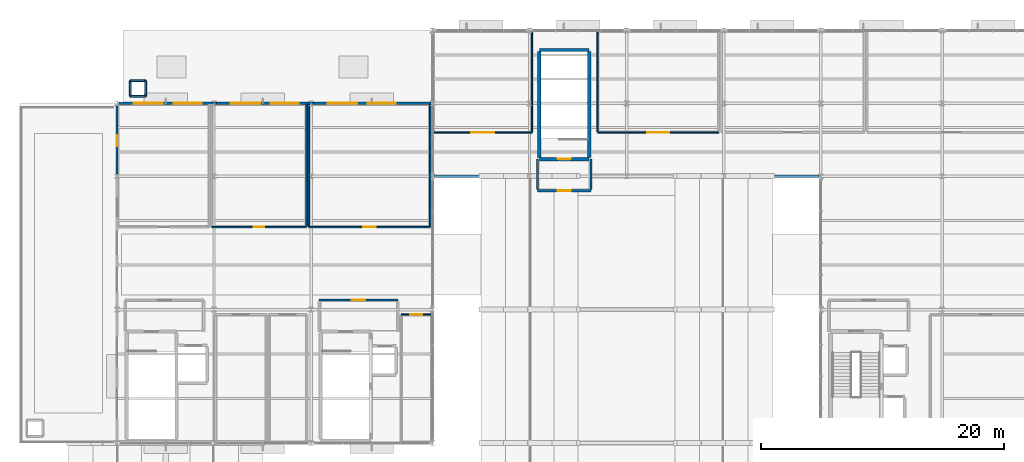
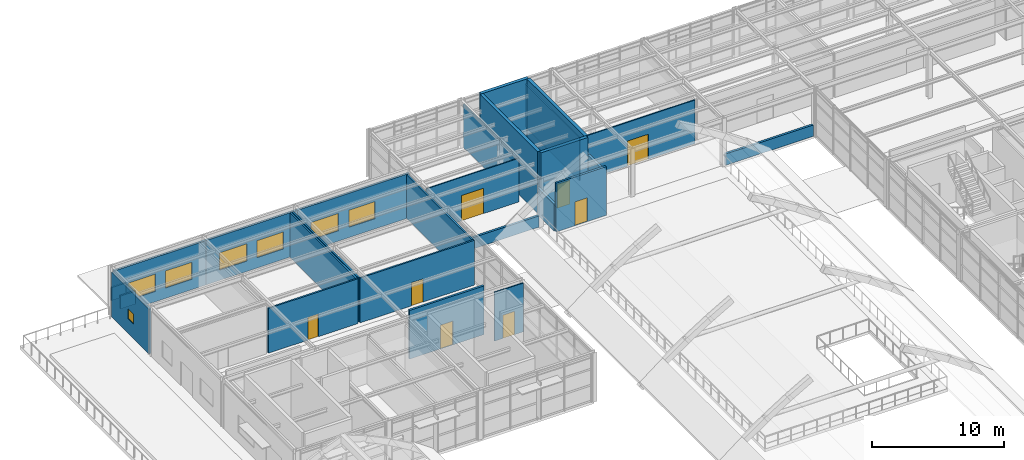
# One storey, part 64 of 82: 28 walls, 8 doors, 7 windows, 15 openings.
"""IFC4 building model written with IfcOpenShell, lengths in metres."""

from ifc_helpers import new_model, si_unit, direction, frame, frame_2d, origin, place, context, subcontext, project, spatial, rectangle, extrude, material, layer, layer_set, type_object, element, fill, save


model = new_model("IFC4")

# Units and contexts
model_context = context("Model", 3, precision=1e-05, world=origin(), true_north=direction((0.0, 1.0)))
body_context = subcontext(model_context, "Body", "Model", "MODEL_VIEW")
ifc_project = project(units=[si_unit("LENGTHUNIT", "METRE"), si_unit("AREAUNIT", "SQUARE_METRE"), si_unit("VOLUMEUNIT", "CUBIC_METRE"), si_unit("PLANEANGLEUNIT", "RADIAN"), si_unit("MASSUNIT", "GRAM", prefix="KILO")], contexts=[model_context])

# Site, building, storey
site_placement = place(None, origin())
site = spatial("IfcSite", under=ifc_project, at=site_placement, CompositionType="ELEMENT")
building_placement = place(site_placement, origin())
building = spatial("IfcBuilding", under=site, at=building_placement, Name="Sitalva Quay Ferry Terminal", CompositionType="ELEMENT")
storey_placement = place(building_placement, frame((0.0, 0.0, 5.39990234375)))
storey = spatial("IfcBuildingStorey", under=building, at=storey_placement, Name="L02", CompositionType="ELEMENT", Elevation=5.39990234375)

# Wall, opening, door
ifc_material_1 = material(Name="Concrete C40/50", Category="concrete")
ifc_layer_1 = layer(ifc_material_1, 0.280029296875)
ifc_layer_set_1 = layer_set([ifc_layer_1], Name="Concrete C40/50")
wall_type_1 = type_object("IfcWallType", Name="Wall_CoreShear_280", PredefinedType="SHEAR", material=ifc_layer_set_1)
wall_1_placement = place(storey_placement, frame((50.800048828125, 101.39990234375, 0.0), z_axis=(0.0, 0.0, 1.0), x_axis=(1.0, 0.0, 0.0)))
wall_1 = element("IfcWall", 1, at=wall_1_placement, inside=storey, type_object=wall_type_1, Name="Core C7 L02 south shear wall", PredefinedType="SHEAR", context=body_context, shape_type="SweptSolid", body=[
    extrude(rectangle(XDim=4.099853515625, YDim=0.280029296875, at=frame_2d((2.0498046875, 0.0))), origin(), (0.0, 0.0, 1.0), 5.7001953125),
])
opening_1_placement = place(wall_1_placement, frame((1.5, 0.0, 0.0)))
opening_1 = element("IfcOpeningElement", 2, at=opening_1_placement, cuts=wall_1, Name="Opening D-L02-027", PredefinedType="OPENING", context=body_context, shape_type="SweptSolid", body=[
    extrude(rectangle(XDim=1.10009765625, YDim=2.199951171875, at=frame_2d((0.550048828125, 1.10009765625))), frame((0.0, 0.14990234375, 0.0), z_axis=(0.0, -1.0, 0.0), x_axis=(1.0, 0.0, 0.0)), (0.0, 0.0, 1.0), 0.300048828125),
])
ifc_material_2 = material(Name="Galvanised Steel Fire Door", Category="steel")
door_type_1 = type_object("IfcDoorType", Name="Door_CoreExit_1100x2200", OperationType="SINGLE_SWING_LEFT", PredefinedType="DOOR", material=ifc_material_2)
door_1_placement = place(opening_1_placement, origin())
door_1 = element("IfcDoor", 3, at=door_1_placement, inside=storey, type_object=door_type_1, Name="DOOR-D-L02-027 Protected stair ST-07 door D-L02-027", OperationType="SINGLE_SWING_LEFT", OverallHeight=2.199951171875, OverallWidth=1.10009765625, PredefinedType="DOOR", context=body_context, shape_type="SweptSolid", body=[
    extrude(rectangle(XDim=1.10009765625, YDim=2.199951171875, at=frame_2d((0.550048828125, 1.10009765625))), frame((0.0, 0.02490234375, 0.0), z_axis=(0.0, -1.0, 0.0), x_axis=(1.0, 0.0, 0.0)), (0.0, 0.0, 1.0), 0.050048828125),
])
fill(opening_1, door_1)

# Walls
wall_2_placement = place(storey_placement, frame((50.800048828125, 110.39990234375, 0.0), z_axis=(0.0, 0.0, 1.0), x_axis=(1.0, 0.0, 0.0)))
element("IfcWall", 4, at=wall_2_placement, inside=storey, type_object=wall_type_1, Name="Core C7 L02 north shear wall", PredefinedType="SHEAR", context=body_context, shape_type="SweptSolid", body=[
    extrude(rectangle(XDim=4.099853515625, YDim=0.280029296875, at=frame_2d((2.0498046875, 0.0))), origin(), (0.0, 0.0, 1.0), 5.7001953125),
])
for number, where, z_axis, x_axis, name in (
    (5, (50.800048828125, 101.5400390625, 0.0), (0.0, 0.0, 1.0), (0.0, 1.0, 0.0), "Core C7 L02 west shear wall"),
    (6, (54.89990234375, 101.5400390625, 0.0), (0.0, 0.0, 1.0), (0.0, 1.0, 0.0), "Core C7 L02 east shear wall"),
):
    element("IfcWall", number, at=place(storey_placement, frame(where, z_axis=z_axis, x_axis=x_axis)), inside=storey, type_object=wall_type_1, Name=name, PredefinedType="SHEAR", context=body_context, shape_type="SweptSolid", body=[
        extrude(rectangle(XDim=8.719970703125, YDim=0.280029296875, at=frame_2d((4.35986328125, 0.0))), origin(), (0.0, 0.0, 1.0), 5.7001953125),
    ])

# Wall, opening, window
ifc_material_3 = material(Name="Architectural Concrete C40/50", Category="concrete")
ifc_layer_2 = layer(ifc_material_3, 0.18994140625)
ifc_layer_set_2 = layer_set([ifc_layer_2], Name="Architectural Concrete C40/50")
wall_type_2 = type_object("IfcWallType", Name="Wall_ExtSpandrel_190", PredefinedType="SOLIDWALL", material=ifc_layer_set_2)
wall_3_placement = place(storey_placement, frame((16.0, 100.1630859375, 0.0), z_axis=(0.0, 0.0, 1.0), x_axis=(0.0, 1.0, 0.0)))
wall_3 = element("IfcWall", 7, at=wall_3_placement, inside=storey, type_object=wall_type_2, Name="L02 west wing terrace facade EW-L02-162", PredefinedType="SOLIDWALL", context=body_context, shape_type="SweptSolid", body=[
    extrude(rectangle(XDim=5.673828125, YDim=0.18994140625, at=frame_2d((2.8369140625, 0.0))), origin(), (0.0, 0.0, 1.0), 4.14111328125),
])
opening_2_placement = place(wall_3_placement, frame((2.31689453125, 0.0, 1.35009765625)))
opening_2 = element("IfcOpeningElement", 8, at=opening_2_placement, cuts=wall_3, Name="Opening WN-L02-037", PredefinedType="OPENING", context=body_context, shape_type="SweptSolid", body=[
    extrude(rectangle(XDim=0.89990234375, YDim=0.89990234375, at=frame_2d((0.449951171875, 0.449951171875))), frame((0.0, 0.10498046875, 0.0), z_axis=(0.0, -1.0, 0.0), x_axis=(1.0, 0.0, 0.0)), (0.0, 0.0, 1.0), 0.2099609375),
])
ifc_material_4 = material(Name="Frosted Double Glazing", Category="glass")
window_type_1 = type_object("IfcWindowType", Name="Win_Toilet_900x900", PartitioningType="SINGLE_PANEL", PredefinedType="WINDOW", material=ifc_material_4)
window_1_placement = place(opening_2_placement, origin())
window_1 = element("IfcWindow", 9, at=window_1_placement, inside=storey, type_object=window_type_1, Name="L02 west WC frosted window WN-L02-037", OverallHeight=0.89990234375, OverallWidth=0.89990234375, PartitioningType="SINGLE_PANEL", PredefinedType="WINDOW", context=body_context, shape_type="SweptSolid", body=[
    extrude(rectangle(XDim=0.89990234375, YDim=0.89990234375, at=frame_2d((0.449951171875, 0.449951171875))), frame((0.0, 0.030029296875, 0.0), z_axis=(0.0, -1.0, 0.0), x_axis=(1.0, 0.0, 0.0)), (0.0, 0.0, 1.0), 0.06005859375),
])
fill(opening_2, window_1)

# Walls
for number, where, z_axis, x_axis, name in (
    (10, (42.16943359375, 100.0, 0.0), (0.0, 0.0, 1.0), (1.0, 0.0, 0.0), "L02 arrival bar south shoulder wall EW-L02-163"),
    (11, (66.16943359375, 100.0, 0.0), (0.0, 0.0, 1.0), (1.0, 0.0, 0.0), "L02 arrival bar south shoulder wall EW-L02-164"),
):
    element("IfcWall", number, at=place(storey_placement, frame(where, z_axis=z_axis, x_axis=x_axis)), inside=storey, type_object=wall_type_2, Name=name, PredefinedType="SOLIDWALL", context=body_context, shape_type="SweptSolid", body=[
        extrude(rectangle(XDim=7.6611328125, YDim=0.18994140625, at=frame_2d((3.83056640625, 0.0))), origin(), (0.0, 0.0, 1.0), 1.041259765625),
    ])

# Wall, openings, windows
wall_4_placement = place(storey_placement, frame((16.16943359375, 106.0, 0.0), z_axis=(0.0, 0.0, 1.0), x_axis=(1.0, 0.0, 0.0)))
wall_4 = element("IfcWall", 12, at=wall_4_placement, inside=storey, type_object=wall_type_2, Name="L02 north-west horizontal ribbon facade EW-L02-165", PredefinedType="SOLIDWALL", context=body_context, shape_type="SweptSolid", body=[
    extrude(rectangle(XDim=8.011962890625, YDim=0.18994140625, at=frame_2d((4.005859375, 0.0))), origin(), (0.0, 0.0, 1.0), 4.09814453125),
])
opening_3_placement = place(wall_4_placement, frame((1.21044921875, 0.0, 0.949951171875)))
opening_3 = element("IfcOpeningElement", 13, at=opening_3_placement, cuts=wall_4, Name="Opening WN-L02-038", PredefinedType="OPENING", context=body_context, shape_type="SweptSolid", body=[
    extrude(rectangle(XDim=2.39990234375, YDim=1.60009765625, at=frame_2d((1.199951171875, 0.800048828125))), frame((0.0, 0.10498046875, 0.0), z_axis=(0.0, -1.0, 0.0), x_axis=(1.0, 0.0, 0.0)), (0.0, 0.0, 1.0), 0.2099609375),
])
opening_4_placement = place(wall_4_placement, frame((4.510498046875, 0.0, 0.949951171875)))
opening_4 = element("IfcOpeningElement", 14, at=opening_4_placement, cuts=wall_4, Name="Opening WN-L02-039", PredefinedType="OPENING", context=body_context, shape_type="SweptSolid", body=[
    extrude(rectangle(XDim=2.300048828125, YDim=1.580078125, at=frame_2d((1.14990234375, 0.7900390625))), frame((0.0, 0.10498046875, 0.0), z_axis=(0.0, -1.0, 0.0), x_axis=(1.0, 0.0, 0.0)), (0.0, 0.0, 1.0), 0.2099609375),
])
ifc_material_5 = material(Name="Anodised Aluminium & Low-E Glass", Category="aluminium")
window_type_2 = type_object("IfcWindowType", Name="Win_RibbonC_2300x1580", PartitioningType="SINGLE_PANEL", PredefinedType="WINDOW", material=ifc_material_5)
window_2_placement = place(opening_4_placement, origin())
window_2 = element("IfcWindow", 15, at=window_2_placement, inside=storey, type_object=window_type_2, Name="L02 north-west ribbon window B WN-L02-039", OverallHeight=1.580078125, OverallWidth=2.300048828125, PartitioningType="SINGLE_PANEL", PredefinedType="WINDOW", context=body_context, shape_type="SweptSolid", body=[
    extrude(rectangle(XDim=2.300048828125, YDim=1.580078125, at=frame_2d((1.14990234375, 0.7900390625))), frame((0.0, 0.030029296875, 0.0), z_axis=(0.0, -1.0, 0.0), x_axis=(1.0, 0.0, 0.0)), (0.0, 0.0, 1.0), 0.06005859375),
])
fill(opening_4, window_2)
ifc_material_6 = material(Name="Anodised Aluminium & Low-E Glass", Category="aluminium")
window_type_3 = type_object("IfcWindowType", Name="Win_Ribbon_2400x1600", PartitioningType="SINGLE_PANEL", PredefinedType="WINDOW", material=ifc_material_6)
window_3_placement = place(opening_3_placement, origin())
window_3 = element("IfcWindow", 16, at=window_3_placement, inside=storey, type_object=window_type_3, Name="L02 north-west ribbon window A WN-L02-038", OverallHeight=1.60009765625, OverallWidth=2.39990234375, PartitioningType="SINGLE_PANEL", PredefinedType="WINDOW", context=body_context, shape_type="SweptSolid", body=[
    extrude(rectangle(XDim=2.39990234375, YDim=1.60009765625, at=frame_2d((1.199951171875, 0.800048828125))), frame((0.0, 0.030029296875, 0.0), z_axis=(0.0, -1.0, 0.0), x_axis=(1.0, 0.0, 0.0)), (0.0, 0.0, 1.0), 0.06005859375),
])
fill(opening_3, window_3)

wall_5_placement = place(storey_placement, frame((24.16943359375, 106.0, 0.0), z_axis=(0.0, 0.0, 1.0), x_axis=(1.0, 0.0, 0.0)))
wall_5 = element("IfcWall", 17, at=wall_5_placement, inside=storey, type_object=wall_type_2, Name="L02 north-west horizontal ribbon facade EW-L02-166", PredefinedType="SOLIDWALL", context=body_context, shape_type="SweptSolid", body=[
    extrude(rectangle(XDim=8.011962890625, YDim=0.18994140625, at=frame_2d((4.005859375, 0.0))), origin(), (0.0, 0.0, 1.0), 4.09814453125),
])
opening_5_placement = place(wall_5_placement, frame((1.21044921875, 0.0, 0.949951171875)))
opening_5 = element("IfcOpeningElement", 18, at=opening_5_placement, cuts=wall_5, Name="Opening WN-L02-040", PredefinedType="OPENING", context=body_context, shape_type="SweptSolid", body=[
    extrude(rectangle(XDim=2.39990234375, YDim=1.60009765625, at=frame_2d((1.199951171875, 0.800048828125))), frame((0.0, 0.10498046875, 0.0), z_axis=(0.0, -1.0, 0.0), x_axis=(1.0, 0.0, 0.0)), (0.0, 0.0, 1.0), 0.2099609375),
])
opening_6_placement = place(wall_5_placement, frame((4.510498046875, 0.0, 0.949951171875)))
opening_6 = element("IfcOpeningElement", 19, at=opening_6_placement, cuts=wall_5, Name="Opening WN-L02-041", PredefinedType="OPENING", context=body_context, shape_type="SweptSolid", body=[
    extrude(rectangle(XDim=2.300048828125, YDim=1.580078125, at=frame_2d((1.14990234375, 0.7900390625))), frame((0.0, 0.10498046875, 0.0), z_axis=(0.0, -1.0, 0.0), x_axis=(1.0, 0.0, 0.0)), (0.0, 0.0, 1.0), 0.2099609375),
])
window_4_placement = place(opening_6_placement, origin())
window_4 = element("IfcWindow", 20, at=window_4_placement, inside=storey, type_object=window_type_2, Name="L02 north-west ribbon window B WN-L02-041", OverallHeight=1.580078125, OverallWidth=2.300048828125, PartitioningType="SINGLE_PANEL", PredefinedType="WINDOW", context=body_context, shape_type="SweptSolid", body=[
    extrude(rectangle(XDim=2.300048828125, YDim=1.580078125, at=frame_2d((1.14990234375, 0.7900390625))), frame((0.0, 0.030029296875, 0.0), z_axis=(0.0, -1.0, 0.0), x_axis=(1.0, 0.0, 0.0)), (0.0, 0.0, 1.0), 0.06005859375),
])
fill(opening_6, window_4)
window_5_placement = place(opening_5_placement, origin())
window_5 = element("IfcWindow", 21, at=window_5_placement, inside=storey, type_object=window_type_3, Name="L02 north-west ribbon window A WN-L02-040", OverallHeight=1.60009765625, OverallWidth=2.39990234375, PartitioningType="SINGLE_PANEL", PredefinedType="WINDOW", context=body_context, shape_type="SweptSolid", body=[
    extrude(rectangle(XDim=2.39990234375, YDim=1.60009765625, at=frame_2d((1.199951171875, 0.800048828125))), frame((0.0, 0.030029296875, 0.0), z_axis=(0.0, -1.0, 0.0), x_axis=(1.0, 0.0, 0.0)), (0.0, 0.0, 1.0), 0.06005859375),
])
fill(opening_5, window_5)

wall_6_placement = place(storey_placement, frame((32.16943359375, 106.0, 0.0), z_axis=(0.0, 0.0, 1.0), x_axis=(1.0, 0.0, 0.0)))
wall_6 = element("IfcWall", 22, at=wall_6_placement, inside=storey, type_object=wall_type_2, Name="L02 north-west horizontal ribbon facade EW-L02-167", PredefinedType="SOLIDWALL", context=body_context, shape_type="SweptSolid", body=[
    extrude(rectangle(XDim=9.83056640625, YDim=0.18994140625, at=frame_2d((4.915283203125, 0.0))), origin(), (0.0, 0.0, 1.0), 4.09814453125),
])
opening_7_placement = place(wall_6_placement, frame((1.21044921875, 0.0, 0.949951171875)))
opening_7 = element("IfcOpeningElement", 23, at=opening_7_placement, cuts=wall_6, Name="Opening WN-L02-042", PredefinedType="OPENING", context=body_context, shape_type="SweptSolid", body=[
    extrude(rectangle(XDim=2.39990234375, YDim=1.60009765625, at=frame_2d((1.199951171875, 0.800048828125))), frame((0.0, 0.10498046875, 0.0), z_axis=(0.0, -1.0, 0.0), x_axis=(1.0, 0.0, 0.0)), (0.0, 0.0, 1.0), 0.2099609375),
])
opening_8_placement = place(wall_6_placement, frame((4.510498046875, 0.0, 0.949951171875)))
opening_8 = element("IfcOpeningElement", 24, at=opening_8_placement, cuts=wall_6, Name="Opening WN-L02-043", PredefinedType="OPENING", context=body_context, shape_type="SweptSolid", body=[
    extrude(rectangle(XDim=2.300048828125, YDim=1.580078125, at=frame_2d((1.14990234375, 0.7900390625))), frame((0.0, 0.10498046875, 0.0), z_axis=(0.0, -1.0, 0.0), x_axis=(1.0, 0.0, 0.0)), (0.0, 0.0, 1.0), 0.2099609375),
])
window_6_placement = place(opening_8_placement, origin())
window_6 = element("IfcWindow", 25, at=window_6_placement, inside=storey, type_object=window_type_2, Name="L02 north-west ribbon window B WN-L02-043", OverallHeight=1.580078125, OverallWidth=2.300048828125, PartitioningType="SINGLE_PANEL", PredefinedType="WINDOW", context=body_context, shape_type="SweptSolid", body=[
    extrude(rectangle(XDim=2.300048828125, YDim=1.580078125, at=frame_2d((1.14990234375, 0.7900390625))), frame((0.0, 0.030029296875, 0.0), z_axis=(0.0, -1.0, 0.0), x_axis=(1.0, 0.0, 0.0)), (0.0, 0.0, 1.0), 0.06005859375),
])
fill(opening_8, window_6)
window_7_placement = place(opening_7_placement, origin())
window_7 = element("IfcWindow", 26, at=window_7_placement, inside=storey, type_object=window_type_3, Name="L02 north-west ribbon window A WN-L02-042", OverallHeight=1.60009765625, OverallWidth=2.39990234375, PartitioningType="SINGLE_PANEL", PredefinedType="WINDOW", context=body_context, shape_type="SweptSolid", body=[
    extrude(rectangle(XDim=2.39990234375, YDim=1.60009765625, at=frame_2d((1.199951171875, 0.800048828125))), frame((0.0, 0.030029296875, 0.0), z_axis=(0.0, -1.0, 0.0), x_axis=(1.0, 0.0, 0.0)), (0.0, 0.0, 1.0), 0.06005859375),
])
fill(opening_7, window_7)

# Wall, opening, door
ifc_material_7 = material(Name="Fire-Rated Blockwork C25/30", Category="masonry")
ifc_layer_3 = layer(ifc_material_7, 0.179931640625)
ifc_layer_set_3 = layer_set([ifc_layer_3], Name="Fire-Rated Blockwork C25/30")
wall_type_3 = type_object("IfcWallType", Name="Wall_FireLobby_180", PredefinedType="SOLIDWALL", material=ifc_layer_set_3)
wall_7_placement = place(storey_placement, frame((32.64990234375, 89.800048828125, 0.0), z_axis=(0.0, 0.0, 1.0), x_axis=(1.0, 0.0, 0.0)))
wall_7 = element("IfcWall", 27, at=wall_7_placement, inside=storey, type_object=wall_type_3, Name="Firefighting & Lift Lobby C5 N wall IW-L02-0055", PredefinedType="SOLIDWALL", context=body_context, shape_type="SweptSolid", body=[
    extrude(rectangle(XDim=6.5, YDim=0.179931640625, at=frame_2d((3.25, 0.0))), origin(), (0.0, 0.0, 1.0), 4.5),
])
opening_9_placement = place(wall_7_placement, frame((2.699951171875, 0.0, 0.0)))
opening_9 = element("IfcOpeningElement", 28, at=opening_9_placement, cuts=wall_7, Name="Opening ID-L02-019", PredefinedType="OPENING", context=body_context, shape_type="SweptSolid", body=[
    extrude(rectangle(XDim=1.10009765625, YDim=2.199951171875, at=frame_2d((0.550048828125, 1.10009765625))), frame((0.0, 0.099853515625, 0.0), z_axis=(0.0, -1.0, 0.0), x_axis=(1.0, 0.0, 0.0)), (0.0, 0.0, 1.0), 0.199951171875),
])
ifc_material_8 = material(Name="Steel Fire Door", Category="steel")
door_type_2 = type_object("IfcDoorType", Name="Door_FireLobby_1100x2200", OperationType="SINGLE_SWING_LEFT", PredefinedType="DOOR", material=ifc_material_8)
door_2_placement = place(opening_9_placement, origin())
door_2 = element("IfcDoor", 29, at=door_2_placement, inside=storey, type_object=door_type_2, Name="IDOOR-ID-L02-019 Firefighting & Lift Lobby C5 entrance ID-L02-019", OperationType="SINGLE_SWING_LEFT", OverallHeight=2.199951171875, OverallWidth=1.10009765625, PredefinedType="DOOR", context=body_context, shape_type="SweptSolid", body=[
    extrude(rectangle(XDim=1.10009765625, YDim=2.199951171875, at=frame_2d((0.550048828125, 1.10009765625))), frame((0.0, 0.02490234375, 0.0), z_axis=(0.0, -1.0, 0.0), x_axis=(1.0, 0.0, 0.0)), (0.0, 0.0, 1.0), 0.050048828125),
])
fill(opening_9, door_2)

wall_8_placement = place(storey_placement, frame((50.64990234375, 98.800048828125, 0.0), z_axis=(0.0, 0.0, 1.0), x_axis=(1.0, 0.0, 0.0)))
wall_8 = element("IfcWall", 30, at=wall_8_placement, inside=storey, type_object=wall_type_3, Name="Firefighting & Lift Lobby C7 S wall IW-L02-0070", PredefinedType="SOLIDWALL", context=body_context, shape_type="SweptSolid", body=[
    extrude(rectangle(XDim=4.400146484375, YDim=0.179931640625, at=frame_2d((2.2001953125, 0.0))), origin(), (0.0, 0.0, 1.0), 4.5),
])
opening_10_placement = place(wall_8_placement, frame((1.64990234375, 0.0, 0.0)))
opening_10 = element("IfcOpeningElement", 31, at=opening_10_placement, cuts=wall_8, Name="Opening ID-L02-024", PredefinedType="OPENING", context=body_context, shape_type="SweptSolid", body=[
    extrude(rectangle(XDim=1.10009765625, YDim=2.199951171875, at=frame_2d((0.550048828125, 1.10009765625))), frame((0.0, 0.099853515625, 0.0), z_axis=(0.0, -1.0, 0.0), x_axis=(1.0, 0.0, 0.0)), (0.0, 0.0, 1.0), 0.199951171875),
])
door_3_placement = place(opening_10_placement, origin())
door_3 = element("IfcDoor", 32, at=door_3_placement, inside=storey, type_object=door_type_2, Name="IDOOR-ID-L02-024 Firefighting & Lift Lobby C7 entrance ID-L02-024", OperationType="SINGLE_SWING_RIGHT", OverallHeight=2.199951171875, OverallWidth=1.10009765625, PredefinedType="DOOR", context=body_context, shape_type="SweptSolid", body=[
    extrude(rectangle(XDim=1.10009765625, YDim=2.199951171875, at=frame_2d((0.550048828125, 1.10009765625))), frame((0.0, 0.02490234375, 0.0), z_axis=(0.0, -1.0, 0.0), x_axis=(1.0, 0.0, 0.0)), (0.0, 0.0, 1.0), 0.050048828125),
])
fill(opening_10, door_3)

# Walls
wall_9_placement = place(storey_placement, frame((50.64990234375, 98.889892578125, 0.0), z_axis=(0.0, 0.0, 1.0), x_axis=(0.0, 1.0, 0.0)))
element("IfcWall", 33, at=wall_9_placement, inside=storey, type_object=wall_type_3, Name="Firefighting & Lift Lobby C7 W wall IW-L02-0071", PredefinedType="SOLIDWALL", context=body_context, shape_type="SweptSolid", body=[
    extrude(rectangle(XDim=2.510009765625, YDim=0.179931640625, at=frame_2d((1.2548828125, 0.0))), origin(), (0.0, 0.0, 1.0), 2.506103515625),
])
wall_10_placement = place(storey_placement, frame((55.050048828125, 98.889892578125, 0.0), z_axis=(0.0, 0.0, 1.0), x_axis=(0.0, 1.0, 0.0)))
element("IfcWall", 34, at=wall_10_placement, inside=storey, type_object=wall_type_3, Name="Firefighting & Lift Lobby C7 E wall IW-L02-0072", PredefinedType="SOLIDWALL", context=body_context, shape_type="SweptSolid", body=[
    extrude(rectangle(XDim=2.510009765625, YDim=0.179931640625, at=frame_2d((1.2548828125, 0.0))), origin(), (0.0, 0.0, 1.0), 3.989990234375),
])

# Wall, opening, door
ifc_material_9 = material(Name="Framed Acoustic Glass Partition", Category="glass")
ifc_layer_4 = layer(ifc_material_9, 0.10009765625)
ifc_layer_set_4 = layer_set([ifc_layer_4], Name="Framed Acoustic Glass Partition")
wall_type_4 = type_object("IfcWallType", Name="Wall_GlazedScreen_100", PredefinedType="MOVABLE", material=ifc_layer_set_4)
wall_11_placement = place(storey_placement, frame((42.080078125, 103.60009765625, 0.0), z_axis=(0.0, 0.0, 1.0), x_axis=(1.0, 0.0, 0.0)))
wall_11 = element("IfcWall", 35, at=wall_11_placement, inside=storey, type_object=wall_type_4, Name="River-View Food Court & Dining Hall S wall IW-L02-0226", PredefinedType="MOVABLE", context=body_context, shape_type="SweptSolid", body=[
    extrude(rectangle(XDim=8.119873046875, YDim=0.10009765625, at=frame_2d((4.06005859375, 0.0))), origin(), (0.0, 0.0, 1.0), 4.033203125),
])
opening_11_placement = place(wall_11_placement, frame((3.110107421875, 0.0, 0.0)))
opening_11 = element("IfcOpeningElement", 36, at=opening_11_placement, cuts=wall_11, Name="Opening ID-L02-080", PredefinedType="OPENING", context=body_context, shape_type="SweptSolid", body=[
    extrude(rectangle(XDim=1.89990234375, YDim=2.35009765625, at=frame_2d((0.949951171875, 1.175048828125))), frame((0.0, 0.06005859375, 0.0), z_axis=(0.0, -1.0, 0.0), x_axis=(1.0, 0.0, 0.0)), (0.0, 0.0, 1.0), 0.1201171875),
])
ifc_material_10 = material(Name="Anodised Aluminium Glazed Portal", Category="aluminium")
door_type_3 = type_object("IfcDoorType", Name="Door_Gallery_1900x2350", OperationType="DOUBLE_DOOR_SINGLE_SWING", PredefinedType="DOOR", material=ifc_material_10)
door_4_placement = place(opening_11_placement, origin())
door_4 = element("IfcDoor", 37, at=door_4_placement, inside=storey, type_object=door_type_3, Name="IDOOR-ID-L02-080 River-View Food Court & Dining Hall entrance ID-L02-080", OperationType="DOUBLE_DOOR_SINGLE_SWING", OverallHeight=2.35009765625, OverallWidth=1.89990234375, PredefinedType="DOOR", context=body_context, shape_type="SweptSolid", body=[
    extrude(rectangle(XDim=1.89990234375, YDim=2.35009765625, at=frame_2d((0.949951171875, 1.175048828125))), frame((0.0, 0.02490234375, 0.0), z_axis=(0.0, -1.0, 0.0), x_axis=(1.0, 0.0, 0.0)), (0.0, 0.0, 1.0), 0.050048828125),
])
fill(opening_11, door_4)

# Wall
wall_12_placement = place(storey_placement, frame((50.199951171875, 103.64990234375, 0.0), z_axis=(0.0, 0.0, 1.0), x_axis=(0.0, 1.0, 0.0)))
element("IfcWall", 38, at=wall_12_placement, inside=storey, type_object=wall_type_4, Name="River-View Food Court & Dining Hall E wall IW-L02-0227", PredefinedType="MOVABLE", context=body_context, shape_type="SweptSolid", body=[
    extrude(rectangle(XDim=8.27001953125, YDim=0.10009765625, at=frame_2d((4.135009765625, 0.0))), origin(), (0.0, 0.0, 1.0), 3.989990234375),
])

# Wall, opening, door
ifc_material_11 = material(Name="Double-Glazed Acoustic Partition", Category="glass")
ifc_layer_5 = layer(ifc_material_11, 0.110107421875)
ifc_layer_set_5 = layer_set([ifc_layer_5], Name="Double-Glazed Acoustic Partition")
wall_type_5 = type_object("IfcWallType", Name="Wall_GlazedScreen_110", PredefinedType="MOVABLE", material=ifc_layer_set_5)
wall_13_placement = place(storey_placement, frame((39.39990234375, 88.60009765625, 0.0), z_axis=(0.0, 0.0, 1.0), x_axis=(1.0, 0.0, 0.0)))
wall_13 = element("IfcWall", 39, at=wall_13_placement, inside=storey, type_object=wall_type_5, Name="Monsoon Court Viewing Lounge N wall IW-L02-0216", PredefinedType="MOVABLE", context=body_context, shape_type="SweptSolid", body=[
    extrude(rectangle(XDim=2.52001953125, YDim=0.110107421875, at=frame_2d((1.260009765625, 0.0))), origin(), (0.0, 0.0, 1.0), 4.5),
])
opening_12_placement = place(wall_13_placement, frame((0.760009765625, 0.0, 0.0)))
opening_12 = element("IfcOpeningElement", 40, at=opening_12_placement, cuts=wall_13, Name="Opening ID-L02-076", PredefinedType="OPENING", context=body_context, shape_type="SweptSolid", body=[
    extrude(rectangle(XDim=1.0, YDim=2.14990234375, at=frame_2d((0.5, 1.074951171875))), frame((0.0, 0.06494140625, 0.0), z_axis=(0.0, -1.0, 0.0), x_axis=(1.0, 0.0, 0.0)), (0.0, 0.0, 1.0), 0.130126953125),
])
ifc_material_12 = material(Name="Hardwood Acoustic Veneer Door", Category="wood")
door_type_4 = type_object("IfcDoorType", Name="Door_OfficeWide_1000x2150", OperationType="SINGLE_SWING_RIGHT", PredefinedType="DOOR", material=ifc_material_12)
door_5_placement = place(opening_12_placement, origin())
door_5 = element("IfcDoor", 41, at=door_5_placement, inside=storey, type_object=door_type_4, Name="IDOOR-ID-L02-076 Monsoon Court Viewing Lounge entrance ID-L02-076", OperationType="SINGLE_SWING_RIGHT", OverallHeight=2.14990234375, OverallWidth=1.0, PredefinedType="DOOR", context=body_context, shape_type="SweptSolid", body=[
    extrude(rectangle(XDim=1.0, YDim=2.14990234375, at=frame_2d((0.5, 1.074951171875))), frame((0.0, 0.02490234375, 0.0), z_axis=(0.0, -1.0, 0.0), x_axis=(1.0, 0.0, 0.0)), (0.0, 0.0, 1.0), 0.050048828125),
])
fill(opening_12, door_5)

wall_14_placement = place(storey_placement, frame((55.60009765625, 103.60009765625, 0.0), z_axis=(0.0, 0.0, 1.0), x_axis=(1.0, 0.0, 0.0)))
wall_14 = element("IfcWall", 42, at=wall_14_placement, inside=storey, type_object=wall_type_5, Name="Concourse Panorama Dining Room S wall IW-L02-0228", PredefinedType="MOVABLE", context=body_context, shape_type="SweptSolid", body=[
    extrude(rectangle(XDim=10.0, YDim=0.110107421875, at=frame_2d((5.0, 0.0))), origin(), (0.0, 0.0, 1.0), 4.033203125),
])
opening_13_placement = place(wall_14_placement, frame((4.10009765625, 0.0, 0.0)))
opening_13 = element("IfcOpeningElement", 43, at=opening_13_placement, cuts=wall_14, Name="Opening ID-L02-081", PredefinedType="OPENING", context=body_context, shape_type="SweptSolid", body=[
    extrude(rectangle(XDim=1.800048828125, YDim=2.300048828125, at=frame_2d((0.89990234375, 1.14990234375))), frame((0.0, 0.06494140625, 0.0), z_axis=(0.0, -1.0, 0.0), x_axis=(1.0, 0.0, 0.0)), (0.0, 0.0, 1.0), 0.130126953125),
])
ifc_material_13 = material(Name="Anodised Aluminium & Toughened Glass", Category="aluminium")
door_type_5 = type_object("IfcDoorType", Name="Door_Retail_1800x2300", OperationType="DOUBLE_DOOR_SINGLE_SWING", PredefinedType="DOOR", material=ifc_material_13)
door_6_placement = place(opening_13_placement, origin())
door_6 = element("IfcDoor", 44, at=door_6_placement, inside=storey, type_object=door_type_5, Name="IDOOR-ID-L02-081 Concourse Panorama Dining Room entrance ID-L02-081", OperationType="DOUBLE_DOOR_SINGLE_SWING", OverallHeight=2.300048828125, OverallWidth=1.800048828125, PredefinedType="DOOR", context=body_context, shape_type="SweptSolid", body=[
    extrude(rectangle(XDim=1.800048828125, YDim=2.300048828125, at=frame_2d((0.89990234375, 1.14990234375))), frame((0.0, 0.02490234375, 0.0), z_axis=(0.0, -1.0, 0.0), x_axis=(1.0, 0.0, 0.0)), (0.0, 0.0, 1.0), 0.050048828125),
])
fill(opening_13, door_6)

# Walls
wall_15_placement = place(storey_placement, frame((55.60009765625, 103.655029296875, 0.0), z_axis=(0.0, 0.0, 1.0), x_axis=(0.0, 1.0, 0.0)))
element("IfcWall", 45, at=wall_15_placement, inside=storey, type_object=wall_type_5, Name="Concourse Panorama Dining Room W wall IW-L02-0229", PredefinedType="MOVABLE", context=body_context, shape_type="SweptSolid", body=[
    extrude(rectangle(XDim=8.264892578125, YDim=0.110107421875, at=frame_2d((4.13232421875, 0.0))), origin(), (0.0, 0.0, 1.0), 3.989990234375),
])
ifc_material_14 = material(Name="Concrete C35/45", Category="concrete")
ifc_layer_6 = layer(ifc_material_14, 0.14990234375)
ifc_layer_set_6 = layer_set([ifc_layer_6], Name="Concrete C35/45")
wall_type_6 = type_object("IfcWallType", Name="Wall_RiserShaft_150", PredefinedType="PLUMBINGWALL", material=ifc_layer_set_6)
for number, where, z_axis, x_axis, name in (
    (46, (17.074951171875, 106.574951171875, -0.099853515625), (0.0, 0.0, 1.0), (1.0, 0.0, 0.0), "L02 service riser 001 wall S"),
    (47, (17.074951171875, 107.875, -0.099853515625), (0.0, 0.0, 1.0), (1.0, 0.0, 0.0), "L02 service riser 001 wall N"),
    (48, (17.074951171875, 106.574951171875, -0.099853515625), (0.0, 0.0, 1.0), (0.0, 1.0, 0.0), "L02 service riser 001 wall W"),
    (49, (18.375, 106.574951171875, -0.099853515625), (0.0, 0.0, 1.0), (0.0, 1.0, 0.0), "L02 service riser 001 wall E"),
):
    element("IfcWall", number, at=place(storey_placement, frame(where, z_axis=z_axis, x_axis=x_axis)), inside=storey, type_object=wall_type_6, Name=name, PredefinedType="PLUMBINGWALL", context=body_context, shape_type="SweptSolid", body=[
        extrude(rectangle(XDim=1.300048828125, YDim=0.14990234375, at=frame_2d((0.64990234375, 0.0))), origin(), (0.0, 0.0, 1.0), 1.199951171875),
    ])

# Wall, opening, door
ifc_material_15 = material(Name="Moisture-Resistant Cement Board Partition", Category="gypsum")
ifc_layer_7 = layer(ifc_material_15, 0.139892578125)
ifc_layer_set_7 = layer_set([ifc_layer_7], Name="Moisture-Resistant Cement Board Partition")
wall_type_7 = type_object("IfcWallType", Name="Wall_WetRoom_140", PredefinedType="PARTITIONING", material=ifc_layer_set_7)
wall_16_placement = place(storey_placement, frame((23.800048828125, 95.800048828125, 0.0), z_axis=(0.0, 0.0, 1.0), x_axis=(1.0, 0.0, 0.0)))
wall_16 = element("IfcWall", 50, at=wall_16_placement, inside=storey, type_object=wall_type_7, Name="L02 West Female Public Toilets S wall IW-L02-0220", PredefinedType="PARTITIONING", context=body_context, shape_type="SweptSolid", body=[
    extrude(rectangle(XDim=7.800048828125, YDim=0.139892578125, at=frame_2d((3.89990234375, 0.0))), origin(), (0.0, 0.0, 1.0), 4.14306640625),
])
opening_14_placement = place(wall_16_placement, frame((3.449951171875, 0.0, 0.0)))
opening_14 = element("IfcOpeningElement", 51, at=opening_14_placement, cuts=wall_16, Name="Opening ID-L02-078", PredefinedType="OPENING", context=body_context, shape_type="SweptSolid", body=[
    extrude(rectangle(XDim=0.89990234375, YDim=2.10009765625, at=frame_2d((0.449951171875, 1.050048828125))), frame((0.0, 0.079833984375, 0.0), z_axis=(0.0, -1.0, 0.0), x_axis=(1.0, 0.0, 0.0)), (0.0, 0.0, 1.0), 0.159912109375),
])
ifc_material_16 = material(Name="High-Pressure Laminate Door", Category="wood")
door_type_6 = type_object("IfcDoorType", Name="Door_WC_900x2100", OperationType="SINGLE_SWING_LEFT", PredefinedType="DOOR", material=ifc_material_16)
door_7_placement = place(opening_14_placement, origin())
door_7 = element("IfcDoor", 52, at=door_7_placement, inside=storey, type_object=door_type_6, Name="IDOOR-ID-L02-078 L02 West Female Public Toilets entrance ID-L02-078", OperationType="SINGLE_SWING_RIGHT", OverallHeight=2.10009765625, OverallWidth=0.89990234375, PredefinedType="DOOR", context=body_context, shape_type="SweptSolid", body=[
    extrude(rectangle(XDim=0.89990234375, YDim=2.10009765625, at=frame_2d((0.449951171875, 1.050048828125))), frame((0.0, 0.02490234375, 0.0), z_axis=(0.0, -1.0, 0.0), x_axis=(1.0, 0.0, 0.0)), (0.0, 0.0, 1.0), 0.050048828125),
])
fill(opening_14, door_7)

# Wall
wall_17_placement = place(storey_placement, frame((31.60009765625, 95.8701171875, 0.0), z_axis=(0.0, 0.0, 1.0), x_axis=(0.0, 1.0, 0.0)))
element("IfcWall", 53, at=wall_17_placement, inside=storey, type_object=wall_type_7, Name="L02 West Female Public Toilets E wall IW-L02-0222", PredefinedType="PARTITIONING", context=body_context, shape_type="SweptSolid", body=[
    extrude(rectangle(XDim=10.0498046875, YDim=0.139892578125, at=frame_2d((5.02490234375, 0.0))), origin(), (0.0, 0.0, 1.0), 4.10009765625),
])

# Wall, opening, door
wall_18_placement = place(storey_placement, frame((31.800048828125, 95.800048828125, 0.0), z_axis=(0.0, 0.0, 1.0), x_axis=(1.0, 0.0, 0.0)))
wall_18 = element("IfcWall", 54, at=wall_18_placement, inside=storey, type_object=wall_type_7, Name="L02 West Accessible WC & Parenting Room S wall IW-L02-0223", PredefinedType="PARTITIONING", context=body_context, shape_type="SweptSolid", body=[
    extrude(rectangle(XDim=10.0, YDim=0.139892578125, at=frame_2d((5.0, 0.0))), origin(), (0.0, 0.0, 1.0), 4.14306640625),
])
opening_15_placement = place(wall_18_placement, frame((4.5, 0.0, 0.0)))
opening_15 = element("IfcOpeningElement", 55, at=opening_15_placement, cuts=wall_18, Name="Opening ID-L02-079", PredefinedType="OPENING", context=body_context, shape_type="SweptSolid", body=[
    extrude(rectangle(XDim=1.0, YDim=2.14990234375, at=frame_2d((0.5, 1.074951171875))), frame((0.0, 0.079833984375, 0.0), z_axis=(0.0, -1.0, 0.0), x_axis=(1.0, 0.0, 0.0)), (0.0, 0.0, 1.0), 0.159912109375),
])
ifc_material_17 = material(Name="High-Pressure Laminate Accessible Door", Category="wood")
door_type_7 = type_object("IfcDoorType", Name="Door_AccWC_1000x2150", OperationType="SINGLE_SWING_RIGHT", PredefinedType="DOOR", material=ifc_material_17)
door_8_placement = place(opening_15_placement, origin())
door_8 = element("IfcDoor", 56, at=door_8_placement, inside=storey, type_object=door_type_7, Name="IDOOR-ID-L02-079 L02 West Accessible WC & Parenting Room entrance ID-L02-079", OperationType="SINGLE_SWING_LEFT", OverallHeight=2.14990234375, OverallWidth=1.0, PredefinedType="DOOR", context=body_context, shape_type="SweptSolid", body=[
    extrude(rectangle(XDim=1.0, YDim=2.14990234375, at=frame_2d((0.5, 1.074951171875))), frame((0.0, 0.02490234375, 0.0), z_axis=(0.0, -1.0, 0.0), x_axis=(1.0, 0.0, 0.0)), (0.0, 0.0, 1.0), 0.050048828125),
])
fill(opening_15, door_8)

# Walls
wall_19_placement = place(storey_placement, frame((31.800048828125, 95.8701171875, 0.0), z_axis=(0.0, 0.0, 1.0), x_axis=(0.0, 1.0, 0.0)))
element("IfcWall", 57, at=wall_19_placement, inside=storey, type_object=wall_type_7, Name="L02 West Accessible WC & Parenting Room W wall IW-L02-0224", PredefinedType="PARTITIONING", context=body_context, shape_type="SweptSolid", body=[
    extrude(rectangle(XDim=10.0498046875, YDim=0.139892578125, at=frame_2d((5.02490234375, 0.0))), origin(), (0.0, 0.0, 1.0), 4.10009765625),
])
wall_20_placement = place(storey_placement, frame((41.800048828125, 95.8701171875, 0.0), z_axis=(0.0, 0.0, 1.0), x_axis=(0.0, 1.0, 0.0)))
element("IfcWall", 58, at=wall_20_placement, inside=storey, type_object=wall_type_7, Name="L02 West Accessible WC & Parenting Room E wall IW-L02-0225", PredefinedType="PARTITIONING", context=body_context, shape_type="SweptSolid", body=[
    extrude(rectangle(XDim=10.0498046875, YDim=0.139892578125, at=frame_2d((5.02490234375, 0.0))), origin(), (0.0, 0.0, 1.0), 4.033203125),
])

save(model, "model.ifc")
